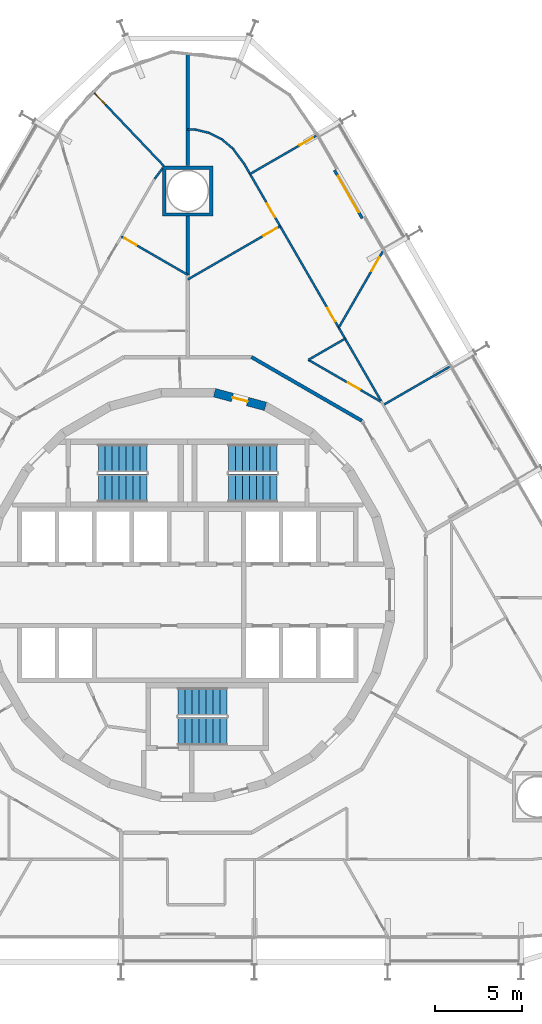
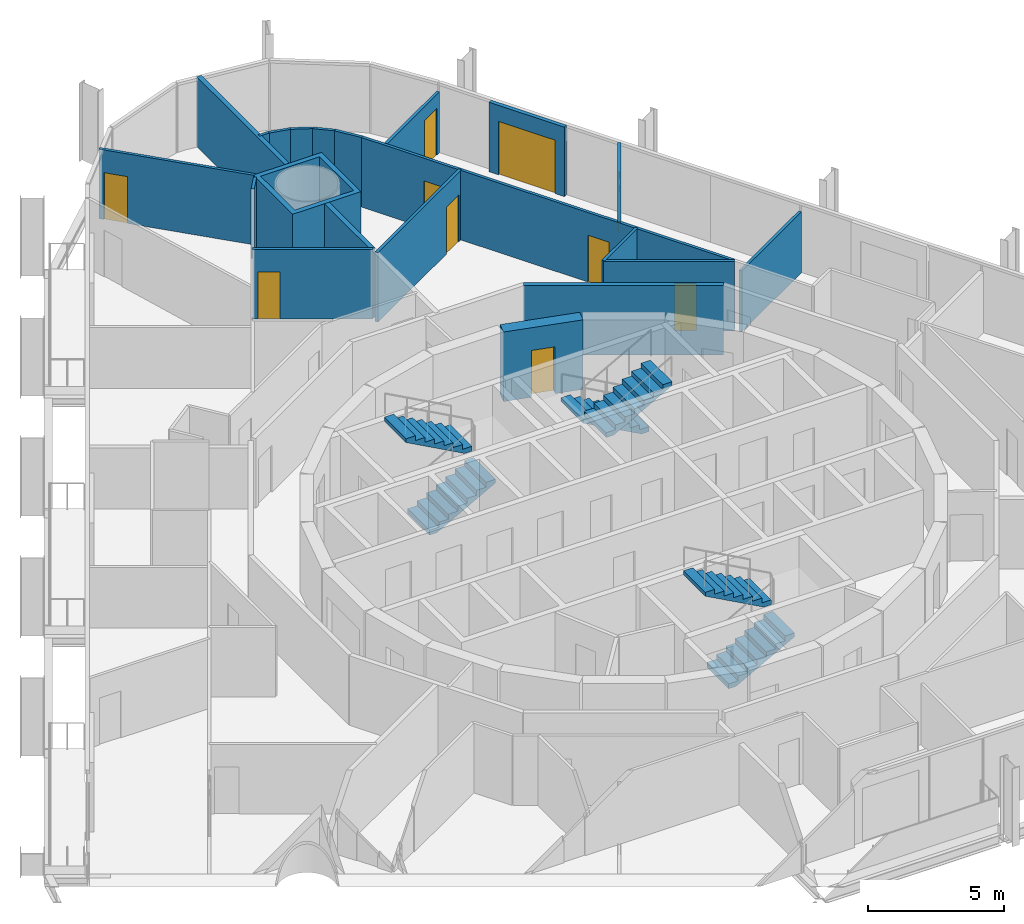
# One storey, part 18 of 20: 21 walls, 10 doors, 6 stair flights, 10 openings, 3 elements without a shape of their own.
"""IFC4 building model written with IfcOpenShell, lengths in metres."""

from ifc_helpers import new_model, si_unit, direction, frame, frame_2d, origin, place, context, subcontext, project, spatial, polyline, rectangle, outline, extrude, material, layer, layer_set, type_object, element, fill, aggregate, save


model = new_model("IFC4")

# Units and contexts
model_context = context("Model", 3, precision=1e-05, world=origin(), true_north=direction((0.0, 1.0)))
body_context = subcontext(model_context, "Body", "Model", "MODEL_VIEW")
ifc_project = project(units=[si_unit("LENGTHUNIT", "METRE"), si_unit("AREAUNIT", "SQUARE_METRE"), si_unit("VOLUMEUNIT", "CUBIC_METRE"), si_unit("PLANEANGLEUNIT", "RADIAN"), si_unit("MASSUNIT", "GRAM", prefix="KILO")], contexts=[model_context])

# Site, building, storey
site_placement = place(None, origin())
site = spatial("IfcSite", under=ifc_project, at=site_placement, CompositionType="ELEMENT")
building_placement = place(site_placement, origin())
building = spatial("IfcBuilding", under=site, at=building_placement, Name="Spindle Arch Residences", CompositionType="ELEMENT")
storey_placement = place(building_placement, frame((0.0, 0.0, 41.89990234375)))
storey = spatial("IfcBuildingStorey", under=building, at=storey_placement, Name="L08", CompositionType="ELEMENT", Elevation=41.89990234375)

# Wall, opening, door
ifc_material_1 = material(Name="Concrete C50/60", Category="concrete")
ifc_layer_1 = layer(ifc_material_1, 0.5)
ifc_layer_set_1 = layer_set([ifc_layer_1], Name="Core outline wall 500")
wall_type_1 = type_object("IfcWallType", Name="Core outline wall 500", PredefinedType="SHEAR", material=ifc_layer_set_1)
wall_1_placement = place(storey_placement, frame((4.479248046875, 10.858154296875, 0.0), z_axis=(0.0, 0.0, 1.0), x_axis=(-0.965948410781, 0.258734743916, 0.0)))
wall_1 = element("IfcWall", 1, at=wall_1_placement, inside=storey, type_object=wall_type_1, Name="Core outline wall 11", PredefinedType="SHEAR", context=body_context, shape_type="SweptSolid", body=[
    extrude(rectangle(XDim=3.03271484375, YDim=0.5, at=frame_2d((1.516357421875, 0.0))), origin(), (0.0, 0.0, 1.0), 3.1201171875),
])
opening_1_placement = place(wall_1_placement, frame((1.066162109375, 0.0, 0.0)))
opening_1 = element("IfcOpeningElement", 2, at=opening_1_placement, cuts=wall_1, Name="Opening R1A1-WD10", PredefinedType="OPENING", context=body_context, shape_type="SweptSolid", body=[
    extrude(rectangle(XDim=0.89990234375, YDim=2.10009765625, at=frame_2d((0.449951171875, 1.050048828125))), frame((0.0, 0.260009765625, 0.0), z_axis=(0.0, -1.0, 0.0), x_axis=(1.0, 0.0, 0.0)), (0.0, 0.0, 1.0), 0.52001953125),
])
ifc_material_2 = material(Name="Steel, fire-resisting door", Category="steel")
door_type_1 = type_object("IfcDoorType", Name="Service room door 900x2100", OperationType="SINGLE_SWING_LEFT", PredefinedType="DOOR", material=ifc_material_2)
door_1_placement = place(opening_1_placement, origin())
door_1 = element("IfcDoor", 3, at=door_1_placement, inside=storey, type_object=door_type_1, Name="Service room door R1A1-WD10", OperationType="SINGLE_SWING_LEFT", OverallHeight=2.10009765625, OverallWidth=0.89990234375, PredefinedType="DOOR", context=body_context, shape_type="SweptSolid", body=[
    extrude(rectangle(XDim=0.89990234375, YDim=2.10009765625, at=frame_2d((0.449951171875, 1.050048828125))), frame((0.0, 0.02490234375, 0.0), z_axis=(0.0, -1.0, 0.0), x_axis=(1.0, 0.0, 0.0)), (0.0, 0.0, 1.0), 0.050048828125),
])
fill(opening_1, door_1)

# Wall
ifc_material_3 = material(Name="Calcium silicate block, plastered")
ifc_layer_2 = layer(ifc_material_3, 0.199951171875)
ifc_layer_set_2 = layer_set([ifc_layer_2], Name="Corridor wall 200")
wall_type_2 = type_object("IfcWallType", Name="Corridor wall 200", PredefinedType="STANDARD", material=ifc_layer_set_2)
wall_2_placement = place(storey_placement, frame((10.029052734375, 10.029052734375, 0.0), z_axis=(0.0, 0.0, 1.0), x_axis=(-0.866024439905, 0.500001669485, 0.0)))
element("IfcWall", 4, at=wall_2_placement, inside=storey, type_object=wall_type_2, Name="Corridor wall R1A1-W005", PredefinedType="STANDARD", context=body_context, shape_type="SweptSolid", body=[
    extrude(rectangle(XDim=7.341796875, YDim=0.199951171875, at=frame_2d((3.6708984375, 0.0))), origin(), (0.0, 0.0, 1.0), 3.1201171875),
])

# Wall, openings, doors
ifc_material_4 = material(Name="Plasterboard on steel studs", Category="steel")
ifc_layer_3 = layer(ifc_material_4, 0.1201171875)
ifc_layer_set_3 = layer_set([ifc_layer_3], Name="Flat partition 120")
wall_type_3 = type_object("IfcWallType", Name="Flat partition 120", PredefinedType="PARTITIONING", material=ifc_layer_set_3)
wall_3_placement = place(storey_placement, frame((11.138916015625, 11.16650390625, 0.0), z_axis=(0.0, 0.0, 1.0), x_axis=(-0.499994660107, 0.866028486751, 0.0)))
wall_3 = element("IfcWall", 5, at=wall_3_placement, inside=storey, type_object=wall_type_3, Name="Flat partition R1A1-W031", PredefinedType="PARTITIONING", context=body_context, shape_type="SweptSolid", body=[
    extrude(rectangle(XDim=15.786376953125, YDim=0.1201171875, at=frame_2d((7.89306640625, 0.0))), origin(), (0.0, 0.0, 1.0), 3.1201171875),
])
opening_2_placement = place(wall_3_placement, frame((5.27880859375, 0.0, 0.0)))
opening_2 = element("IfcOpeningElement", 6, at=opening_2_placement, cuts=wall_3, Name="Opening R1A1-ID02", PredefinedType="OPENING", context=body_context, shape_type="SweptSolid", body=[
    extrude(rectangle(XDim=0.89990234375, YDim=2.10009765625, at=frame_2d((0.449951171875, 1.050048828125))), frame((0.0, 0.070068359375, 0.0), z_axis=(0.0, -1.0, 0.0), x_axis=(1.0, 0.0, 0.0)), (0.0, 0.0, 1.0), 0.14013671875),
])
opening_3_placement = place(wall_3_placement, frame((12.230224609375, 0.0, 0.0)))
opening_3 = element("IfcOpeningElement", 7, at=opening_3_placement, cuts=wall_3, Name="Opening R1A1-ID06", PredefinedType="OPENING", context=body_context, shape_type="SweptSolid", body=[
    extrude(rectangle(XDim=0.89990234375, YDim=2.10009765625, at=frame_2d((0.449951171875, 1.050048828125))), frame((0.0, 0.070068359375, 0.0), z_axis=(0.0, -1.0, 0.0), x_axis=(1.0, 0.0, 0.0)), (0.0, 0.0, 1.0), 0.14013671875),
])
ifc_material_5 = material(Name="Timber door set", Category="wood")
door_type_2 = type_object("IfcDoorType", Name="Room door 900x2100", OperationType="NOTDEFINED", PredefinedType="DOOR", material=ifc_material_5)
door_2_placement = place(opening_2_placement, origin())
door_2 = element("IfcDoor", 8, at=door_2_placement, inside=storey, type_object=door_type_2, Name="Room door R1A1-ID02", OperationType="SINGLE_SWING_RIGHT", OverallHeight=2.10009765625, OverallWidth=0.89990234375, PredefinedType="DOOR", context=body_context, shape_type="SweptSolid", body=[
    extrude(rectangle(XDim=0.89990234375, YDim=2.10009765625, at=frame_2d((0.449951171875, 1.050048828125))), frame((0.0, 0.02490234375, 0.0), z_axis=(0.0, -1.0, 0.0), x_axis=(1.0, 0.0, 0.0)), (0.0, 0.0, 1.0), 0.050048828125),
])
fill(opening_2, door_2)
door_3_placement = place(opening_3_placement, origin())
door_3 = element("IfcDoor", 9, at=door_3_placement, inside=storey, type_object=door_type_2, Name="Room door R1A1-ID06", OperationType="SINGLE_SWING_LEFT", OverallHeight=2.10009765625, OverallWidth=0.89990234375, PredefinedType="DOOR", context=body_context, shape_type="SweptSolid", body=[
    extrude(rectangle(XDim=0.89990234375, YDim=2.10009765625, at=frame_2d((0.449951171875, 1.050048828125))), frame((0.0, 0.02490234375, 0.0), z_axis=(0.0, -1.0, 0.0), x_axis=(1.0, 0.0, 0.0)), (0.0, 0.0, 1.0), 0.050048828125),
])
fill(opening_3, door_3)

# Wall, opening, door
wall_4_placement = place(storey_placement, frame((11.127197265625, 11.127197265625, 0.0), z_axis=(0.0, 0.0, 1.0), x_axis=(-0.866043916853, 0.499967933054, 0.0)))
wall_4 = element("IfcWall", 10, at=wall_4_placement, inside=storey, type_object=wall_type_3, Name="Flat partition R1A1-W032", PredefinedType="PARTITIONING", context=body_context, shape_type="SweptSolid", body=[
    extrude(rectangle(XDim=4.821044921875, YDim=0.1201171875, at=frame_2d((2.41064453125, 0.0))), origin(), (0.0, 0.0, 1.0), 3.1201171875),
])
opening_4_placement = place(wall_4_placement, frame((1.39990234375, 0.0, 0.0)))
opening_4 = element("IfcOpeningElement", 11, at=opening_4_placement, cuts=wall_4, Name="Opening R1A1-BD01", PredefinedType="OPENING", context=body_context, shape_type="SweptSolid", body=[
    extrude(rectangle(XDim=0.800048828125, YDim=2.10009765625, at=frame_2d((0.39990234375, 1.050048828125))), frame((0.0, 0.070068359375, 0.0), z_axis=(0.0, -1.0, 0.0), x_axis=(1.0, 0.0, 0.0)), (0.0, 0.0, 1.0), 0.14013671875),
])
ifc_material_6 = material(Name="Timber door set", Category="wood")
door_type_3 = type_object("IfcDoorType", Name="Bathroom door 800x2100", OperationType="NOTDEFINED", PredefinedType="DOOR", material=ifc_material_6)
door_4_placement = place(opening_4_placement, origin())
door_4 = element("IfcDoor", 12, at=door_4_placement, inside=storey, type_object=door_type_3, Name="Bathroom door R1A1-BD01", OperationType="SINGLE_SWING_RIGHT", OverallHeight=2.10009765625, OverallWidth=0.800048828125, PredefinedType="DOOR", context=body_context, shape_type="SweptSolid", body=[
    extrude(rectangle(XDim=0.800048828125, YDim=2.10009765625, at=frame_2d((0.39990234375, 1.050048828125))), frame((0.0, 0.02490234375, 0.0), z_axis=(0.0, -1.0, 0.0), x_axis=(1.0, 0.0, 0.0)), (0.0, 0.0, 1.0), 0.050048828125),
])
fill(opening_4, door_4)

# Wall
wall_5_placement = place(storey_placement, frame((6.951904296875, 13.53759765625, 0.0), z_axis=(0.0, 0.0, 1.0), x_axis=(0.866030657337, 0.49999090047, 0.0)))
element("IfcWall", 13, at=wall_5_placement, inside=storey, type_object=wall_type_3, Name="Flat partition R1A1-W033", PredefinedType="PARTITIONING", context=body_context, shape_type="SweptSolid", body=[
    extrude(rectangle(XDim=2.4404296875, YDim=0.1201171875, at=frame_2d((1.22021484375, 0.0))), origin(), (0.0, 0.0, 1.0), 3.1201171875),
])

# Wall, opening, door
wall_6_placement = place(storey_placement, frame((5.323974609375, 21.238525390625, 0.0), z_axis=(0.0, 0.0, 1.0), x_axis=(-0.866030172657, -0.49999173998, 0.0)))
wall_6 = element("IfcWall", 14, at=wall_6_placement, inside=storey, type_object=wall_type_3, Name="Flat partition R1A1-W034", PredefinedType="PARTITIONING", context=body_context, shape_type="SweptSolid", body=[
    extrude(rectangle(XDim=6.1474609375, YDim=0.1201171875, at=frame_2d((3.07373046875, 0.0))), origin(), (0.0, 0.0, 1.0), 3.1201171875),
])
opening_5_placement = place(wall_6_placement, frame((0.199951171875, 0.0, 0.0)))
opening_5 = element("IfcOpeningElement", 15, at=opening_5_placement, cuts=wall_6, Name="Opening R1A1-ID03", PredefinedType="OPENING", context=body_context, shape_type="SweptSolid", body=[
    extrude(rectangle(XDim=0.89990234375, YDim=2.10009765625, at=frame_2d((0.449951171875, 1.050048828125))), frame((0.0, 0.070068359375, 0.0), z_axis=(0.0, -1.0, 0.0), x_axis=(1.0, 0.0, 0.0)), (0.0, 0.0, 1.0), 0.14013671875),
])
door_5_placement = place(opening_5_placement, origin())
door_5 = element("IfcDoor", 16, at=door_5_placement, inside=storey, type_object=door_type_2, Name="Room door R1A1-ID03", OperationType="SINGLE_SWING_RIGHT", OverallHeight=2.10009765625, OverallWidth=0.89990234375, PredefinedType="DOOR", context=body_context, shape_type="SweptSolid", body=[
    extrude(rectangle(XDim=0.89990234375, YDim=2.10009765625, at=frame_2d((0.449951171875, 1.050048828125))), frame((0.0, 0.02490234375, 0.0), z_axis=(0.0, -1.0, 0.0), x_axis=(1.0, 0.0, 0.0)), (0.0, 0.0, 1.0), 0.050048828125),
])
fill(opening_5, door_5)

wall_7_placement = place(storey_placement, frame((11.239990234375, 19.791748046875, 0.0), z_axis=(0.0, 0.0, 1.0), x_axis=(-0.499978956711, -0.866037552792, 0.0)))
wall_7 = element("IfcWall", 17, at=wall_7_placement, inside=storey, type_object=wall_type_3, Name="Flat partition R1A1-W036", PredefinedType="PARTITIONING", context=body_context, shape_type="SweptSolid", body=[
    extrude(rectangle(XDim=5.080810546875, YDim=0.1201171875, at=frame_2d((2.54052734375, 0.0))), origin(), (0.0, 0.0, 1.0), 3.1201171875),
])
opening_6_placement = place(wall_7_placement, frame((0.39990234375, 0.0, 0.0)))
opening_6 = element("IfcOpeningElement", 18, at=opening_6_placement, cuts=wall_7, Name="Opening R1A1-ID04", PredefinedType="OPENING", context=body_context, shape_type="SweptSolid", body=[
    extrude(rectangle(XDim=0.89990234375, YDim=2.10009765625, at=frame_2d((0.449951171875, 1.050048828125))), frame((0.0, 0.070068359375, 0.0), z_axis=(0.0, -1.0, 0.0), x_axis=(1.0, 0.0, 0.0)), (0.0, 0.0, 1.0), 0.14013671875),
])
door_6_placement = place(opening_6_placement, origin())
door_6 = element("IfcDoor", 19, at=door_6_placement, inside=storey, type_object=door_type_2, Name="Room door R1A1-ID04", OperationType="SINGLE_SWING_LEFT", OverallHeight=2.10009765625, OverallWidth=0.89990234375, PredefinedType="DOOR", context=body_context, shape_type="SweptSolid", body=[
    extrude(rectangle(XDim=0.89990234375, YDim=2.10009765625, at=frame_2d((0.449951171875, 1.050048828125))), frame((0.0, 0.02490234375, 0.0), z_axis=(0.0, -1.0, 0.0), x_axis=(1.0, 0.0, 0.0)), (0.0, 0.0, 1.0), 0.050048828125),
])
fill(opening_6, door_6)

# Walls
wall_8_placement = place(storey_placement, frame((0.0, 26.8056640625, 0.0), z_axis=(0.0, 0.0, 1.0), x_axis=(1.0, 0.0, 0.0)))
element("IfcWall", 20, at=wall_8_placement, inside=storey, type_object=wall_type_3, Name="Flat partition R1A1-W038", PredefinedType="PARTITIONING", context=body_context, shape_type="SweptSolid", body=[
    extrude(rectangle(XDim=0.41455078125, YDim=0.1201171875, at=frame_2d((0.207275390625, 0.0))), origin(), (0.0, 0.0, 1.0), 3.1201171875),
])
wall_9_placement = place(storey_placement, frame((0.41455078125, 26.8056640625, 0.0), z_axis=(0.0, 0.0, 1.0), x_axis=(0.973048993259, -0.230598475097, 0.0)))
element("IfcWall", 21, at=wall_9_placement, inside=storey, type_object=wall_type_3, Name="Flat partition R1A1-W039", PredefinedType="PARTITIONING", context=body_context, shape_type="SweptSolid", body=[
    extrude(rectangle(XDim=0.8291015625, YDim=0.1201171875, at=frame_2d((0.41455078125, 0.0))), origin(), (0.0, 0.0, 1.0), 3.1201171875),
])
for number, where, z_axis, x_axis, name in (
    (22, (1.22119140625, 26.614501953125, 0.0), (0.0, 0.0, 1.0), (0.893719110379, -0.448626962791, 0.0), "Flat partition R1A1-W040"),
    (23, (1.9619140625, 26.24267578125, 0.0), (0.0, 0.0, 1.0), (0.765849913579, -0.643019369748, 0.0), "Flat partition R1A1-W041"),
):
    element("IfcWall", number, at=place(storey_placement, frame(where, z_axis=z_axis, x_axis=x_axis)), inside=storey, type_object=wall_type_3, Name=name, PredefinedType="PARTITIONING", context=body_context, shape_type="SweptSolid", body=[
        extrude(rectangle(XDim=0.828857421875, YDim=0.1201171875, at=frame_2d((0.41455078125, 0.0))), origin(), (0.0, 0.0, 1.0), 3.1201171875),
    ])
wall_10_placement = place(storey_placement, frame((2.5966796875, 25.709716796875, 0.0), z_axis=(0.0, 0.0, 1.0), x_axis=(0.59722925597, -0.802070580319, 0.0)))
element("IfcWall", 24, at=wall_10_placement, inside=storey, type_object=wall_type_3, Name="Flat partition R1A1-W042", PredefinedType="PARTITIONING", context=body_context, shape_type="SweptSolid", body=[
    extrude(rectangle(XDim=1.0869140625, YDim=0.1201171875, at=frame_2d((0.54345703125, 0.0))), origin(), (0.0, 0.0, 1.0), 3.1201171875),
])

# Wall, opening, door
wall_11_placement = place(storey_placement, frame((-5.487060546875, 29.0283203125, 0.0), z_axis=(0.0, 0.0, 1.0), x_axis=(0.689189638576, -0.724581011398, 0.0)))
wall_11 = element("IfcWall", 25, at=wall_11_placement, inside=storey, type_object=wall_type_3, Name="Flat partition R1A1-W048", PredefinedType="PARTITIONING", context=body_context, shape_type="SweptSolid", body=[
    extrude(rectangle(XDim=5.960205078125, YDim=0.1201171875, at=frame_2d((2.97998046875, 0.0))), origin(), (0.0, 0.0, 1.0), 3.1201171875),
])
opening_7_placement = place(wall_11_placement, frame((0.199951171875, 0.0, 0.0)))
opening_7 = element("IfcOpeningElement", 26, at=opening_7_placement, cuts=wall_11, Name="Opening R1A1-ID10", PredefinedType="OPENING", context=body_context, shape_type="SweptSolid", body=[
    extrude(rectangle(XDim=0.89990234375, YDim=2.10009765625, at=frame_2d((0.449951171875, 1.050048828125))), frame((0.0, 0.070068359375, 0.0), z_axis=(0.0, -1.0, 0.0), x_axis=(1.0, 0.0, 0.0)), (0.0, 0.0, 1.0), 0.14013671875),
])
door_7_placement = place(opening_7_placement, origin())
door_7 = element("IfcDoor", 27, at=door_7_placement, inside=storey, type_object=door_type_2, Name="Room door R1A1-ID10", OperationType="SINGLE_SWING_LEFT", OverallHeight=2.10009765625, OverallWidth=0.89990234375, PredefinedType="DOOR", context=body_context, shape_type="SweptSolid", body=[
    extrude(rectangle(XDim=0.89990234375, YDim=2.10009765625, at=frame_2d((0.449951171875, 1.050048828125))), frame((0.0, 0.02490234375, 0.0), z_axis=(0.0, -1.0, 0.0), x_axis=(1.0, 0.0, 0.0)), (0.0, 0.0, 1.0), 0.050048828125),
])
fill(opening_7, door_7)

wall_12_placement = place(storey_placement, frame((-3.820556640625, 20.642578125, 0.0), z_axis=(0.0, 0.0, 1.0), x_axis=(0.866024310165, -0.5000018942, 0.0)))
wall_12 = element("IfcWall", 28, at=wall_12_placement, inside=storey, type_object=wall_type_3, Name="Flat partition R1A1-W049", PredefinedType="PARTITIONING", context=body_context, shape_type="SweptSolid", body=[
    extrude(rectangle(XDim=4.41162109375, YDim=0.1201171875, at=frame_2d((2.205810546875, 0.0))), origin(), (0.0, 0.0, 1.0), 3.1201171875),
])
opening_8_placement = place(wall_12_placement, frame((0.199951171875, 0.0, 0.0)))
opening_8 = element("IfcOpeningElement", 29, at=opening_8_placement, cuts=wall_12, Name="Opening R1A1-BD03", PredefinedType="OPENING", context=body_context, shape_type="SweptSolid", body=[
    extrude(rectangle(XDim=0.800048828125, YDim=2.10009765625, at=frame_2d((0.39990234375, 1.050048828125))), frame((0.0, 0.070068359375, 0.0), z_axis=(0.0, -1.0, 0.0), x_axis=(1.0, 0.0, 0.0)), (0.0, 0.0, 1.0), 0.14013671875),
])
door_8_placement = place(opening_8_placement, origin())
door_8 = element("IfcDoor", 30, at=door_8_placement, inside=storey, type_object=door_type_3, Name="Bathroom door R1A1-BD03", OperationType="SINGLE_SWING_LEFT", OverallHeight=2.10009765625, OverallWidth=0.800048828125, PredefinedType="DOOR", context=body_context, shape_type="SweptSolid", body=[
    extrude(rectangle(XDim=0.800048828125, YDim=2.10009765625, at=frame_2d((0.39990234375, 1.050048828125))), frame((0.0, 0.02490234375, 0.0), z_axis=(0.0, -1.0, 0.0), x_axis=(1.0, 0.0, 0.0)), (0.0, 0.0, 1.0), 0.050048828125),
])
fill(opening_8, door_8)

# Walls
wall_13_placement = place(storey_placement, frame((-1.449951171875, 24.57080078125, 0.0), z_axis=(0.0, 0.0, 1.0), x_axis=(-0.597187509737, -0.802101663266, 0.0)))
element("IfcWall", 31, at=wall_13_placement, inside=storey, type_object=wall_type_3, Name="Flat partition R1A1-W050", PredefinedType="PARTITIONING", context=body_context, shape_type="SweptSolid", body=[
    extrude(rectangle(XDim=0.764892578125, YDim=0.1201171875, at=frame_2d((0.38232421875, 0.0))), origin(), (0.0, 0.0, 1.0), 3.1201171875),
])
ifc_material_7 = material(Name="Plasterboard on steel studs", Category="steel")
ifc_layer_4 = layer(ifc_material_7, 0.1201171875)
ifc_layer_set_4 = layer_set([ifc_layer_4], Name="Flat partition 120 under beam 2730")
wall_type_4 = type_object("IfcWallType", Name="Flat partition 120 under beam 2730", PredefinedType="PARTITIONING", material=ifc_layer_set_4)
wall_14_placement = place(storey_placement, frame((15.080078125, 13.140380859375, 0.0), z_axis=(0.0, 0.0, 1.0), x_axis=(-0.866032203192, -0.499988222896, 0.0)))
element("IfcWall", 32, at=wall_14_placement, inside=storey, type_object=wall_type_4, Name="Flat partition R1A1-W035", PredefinedType="PARTITIONING", context=body_context, shape_type="SweptSolid", body=[
    extrude(rectangle(XDim=4.39990234375, YDim=0.1201171875, at=frame_2d((2.199951171875, 0.0))), origin(), (0.0, 0.0, 1.0), 2.72998046875),
])

# Wall, opening, door
wall_15_placement = place(storey_placement, frame((7.39990234375, 26.44287109375, 0.0), z_axis=(0.0, 0.0, 1.0), x_axis=(-0.866032203192, -0.499988222896, 0.0)))
wall_15 = element("IfcWall", 33, at=wall_15_placement, inside=storey, type_object=wall_type_4, Name="Flat partition R1A1-W037", PredefinedType="PARTITIONING", context=body_context, shape_type="SweptSolid", body=[
    extrude(rectangle(XDim=4.39990234375, YDim=0.1201171875, at=frame_2d((2.199951171875, 0.0))), origin(), (0.0, 0.0, 1.0), 2.72998046875),
])
opening_9_placement = place(wall_15_placement, frame((0.199951171875, 0.0, 0.0)))
opening_9 = element("IfcOpeningElement", 34, at=opening_9_placement, cuts=wall_15, Name="Opening R1A1-ID05", PredefinedType="OPENING", context=body_context, shape_type="SweptSolid", body=[
    extrude(rectangle(XDim=0.89990234375, YDim=2.10009765625, at=frame_2d((0.449951171875, 1.050048828125))), frame((0.0, 0.070068359375, 0.0), z_axis=(0.0, -1.0, 0.0), x_axis=(1.0, 0.0, 0.0)), (0.0, 0.0, 1.0), 0.14013671875),
])
door_9_placement = place(opening_9_placement, origin())
door_9 = element("IfcDoor", 35, at=door_9_placement, inside=storey, type_object=door_type_2, Name="Room door R1A1-ID05", OperationType="SINGLE_SWING_RIGHT", OverallHeight=2.10009765625, OverallWidth=0.89990234375, PredefinedType="DOOR", context=body_context, shape_type="SweptSolid", body=[
    extrude(rectangle(XDim=0.89990234375, YDim=2.10009765625, at=frame_2d((0.449951171875, 1.050048828125))), frame((0.0, 0.02490234375, 0.0), z_axis=(0.0, -1.0, 0.0), x_axis=(1.0, 0.0, 0.0)), (0.0, 0.0, 1.0), 0.050048828125),
])
fill(opening_9, door_9)

# Walls
ifc_material_8 = material(Name="Calcium silicate block, plastered")
ifc_layer_5 = layer(ifc_material_8, 0.199951171875)
ifc_layer_set_5 = layer_set([ifc_layer_5], Name="Flat party wall 200")
wall_type_5 = type_object("IfcWallType", Name="Flat party wall 200", PredefinedType="STANDARD", material=ifc_layer_set_5)
wall_16_placement = place(storey_placement, frame((0.0, 31.205810546875, 0.0), z_axis=(0.0, 0.0, 1.0), x_axis=(-0.001543266126, -0.999998809164, 0.0)))
element("IfcWall", 36, at=wall_16_placement, inside=storey, type_object=wall_type_5, Name="Flat party wall R1A1-W019", PredefinedType="STANDARD", context=body_context, shape_type="SweptSolid", body=[
    extrude(rectangle(XDim=6.486083984375, YDim=0.199951171875, at=frame_2d((3.2431640625, 0.0))), origin(), (0.0, 0.0, 1.0), 3.1201171875),
])
wall_17_placement = place(storey_placement, frame((0.0, 21.809814453125, 0.0), z_axis=(0.0, 0.0, 1.0), x_axis=(0.0, -1.0, 0.0)))
element("IfcWall", 37, at=wall_17_placement, inside=storey, type_object=wall_type_5, Name="Flat party wall R1A1-W020", PredefinedType="STANDARD", context=body_context, shape_type="SweptSolid", body=[
    extrude(rectangle(XDim=3.373046875, YDim=0.199951171875, at=frame_2d((1.6865234375, 0.0))), origin(), (0.0, 0.0, 1.0), 3.1201171875),
])

# Wall, opening, door
ifc_material_9 = material(Name="Non-combustible mineral wool insulated aluminium faced external wall (K0)", Category="aluminium")
ifc_layer_6 = layer(ifc_material_9, 0.159912109375)
ifc_layer_set_6 = layer_set([ifc_layer_6], Name="Insulated external wall panel 160")
wall_type_6 = type_object("IfcWallType", Name="Insulated external wall panel 160", PredefinedType="STANDARD", material=ifc_layer_set_6)
wall_18_placement = place(storey_placement, frame((10.050537109375, 21.691650390625, 0.0), z_axis=(0.0, 0.0, 1.0), x_axis=(-0.499971222258, 0.866042017984, 0.0)))
wall_18 = element("IfcWall", 38, at=wall_18_placement, inside=storey, type_object=wall_type_6, Name="External wall L08 bay 10", PredefinedType="STANDARD", context=body_context, shape_type="SweptSolid", body=[
    extrude(rectangle(XDim=3.199951171875, YDim=0.159912109375, at=frame_2d((1.60009765625, 0.0))), origin(), (0.0, 0.0, 1.0), 3.1201171875),
])
opening_10_placement = place(wall_18_placement, frame((0.39990234375, 0.0, 0.0)))
opening_10 = element("IfcOpeningElement", 39, at=opening_10_placement, cuts=wall_18, Name="Opening BD10", PredefinedType="OPENING", context=body_context, shape_type="SweptSolid", body=[
    extrude(rectangle(XDim=2.39990234375, YDim=2.39990234375, at=frame_2d((1.199951171875, 1.199951171875))), frame((0.0, 0.08984375, 0.0), z_axis=(0.0, -1.0, 0.0), x_axis=(1.0, 0.0, 0.0)), (0.0, 0.0, 1.0), 0.179931640625),
])
ifc_material_10 = material(Name="Bronze aluminium frame, tinted double glazing", Category="aluminium")
door_type_4 = type_object("IfcDoorType", Name="Sliding glazed balcony door 2400x2400", OperationType="DOUBLE_DOOR_SLIDING", PredefinedType="DOOR", material=ifc_material_10)
door_10_placement = place(opening_10_placement, origin())
door_10 = element("IfcDoor", 40, at=door_10_placement, inside=storey, type_object=door_type_4, Name="Balcony door BD10", OperationType="DOUBLE_DOOR_SLIDING", OverallHeight=2.39990234375, OverallWidth=2.39990234375, PredefinedType="DOOR", context=body_context, shape_type="SweptSolid", body=[
    extrude(rectangle(XDim=2.39990234375, YDim=2.39990234375, at=frame_2d((1.199951171875, 1.199951171875))), frame((0.0, 0.02490234375, 0.0), z_axis=(0.0, -1.0, 0.0), x_axis=(1.0, 0.0, 0.0)), (0.0, 0.0, 1.0), 0.050048828125),
])
fill(opening_10, door_10)

# Wall
ifc_material_11 = material(Name="Calcium silicate block, plastered")
ifc_layer_7 = layer(ifc_material_11, 0.199951171875)
ifc_layer_set_7 = layer_set([ifc_layer_7], Name="Mega-column casing wall 200")
wall_type_7 = type_object("IfcWallType", Name="Mega-column casing wall 200", PredefinedType="STANDARD", material=ifc_layer_set_7)
wall_19_placement = place(storey_placement, origin())
element("IfcWall", 41, at=wall_19_placement, inside=storey, type_object=wall_type_7, Name="Mega-column casing wall R1A1-WC01", PredefinedType="STANDARD", context=body_context, shape_type="SweptSolid", body=[
    extrude(outline(polyline([(1.449951171875, 24.709716796875), (1.449951171875, 21.809814453125), (-1.449951171875, 21.809814453125), (-1.449951171875, 24.709716796875), (1.449951171875, 24.709716796875)]), holes=[polyline([(-1.25, 22.009765625), (1.25, 22.009765625), (1.25, 24.509765625), (-1.25, 24.509765625), (-1.25, 22.009765625)])]), origin(), (0.0, 0.0, 1.0), 3.1201171875),
])

# Stair, stair flights
ifc_material_12 = material(Name="Concrete C50/60", Category="concrete")
stair_type = type_object("IfcStairType", Name="Exit stair 16 risers", PredefinedType="HALF_TURN_STAIR", material=ifc_material_12)
stair_1_placement = place(storey_placement, origin())
stair_1 = element("IfcStair", 42, at=stair_1_placement, inside=storey, type_object=stair_type, Name="L08 Exit stair ST1", PredefinedType="HALF_TURN_STAIR")
ifc_material_13 = material(Name="Concrete C50/60", Category="concrete")
stair_flight_type = type_object("IfcStairFlightType", Name="Exit stair flight", PredefinedType="STRAIGHT", material=ifc_material_13)
stair_flight_1_placement = place(storey_placement, frame((5.14990234375, 7.8701171875, 0.0), z_axis=(0.0, 0.0, 1.0), x_axis=(-1.0, 0.0, 0.0)))
stair_flight_1 = element("IfcStairFlight", 43, at=stair_flight_1_placement, type_object=stair_flight_type, Name="ST1 flight 1", NumberOfRisers=8, NumberOfTreads=7, PredefinedType="STRAIGHT", RiserHeight=0.21875, TreadLength=0.4, context=body_context, shape_type="SweptSolid", body=[
    extrude(outline(polyline([(0.0, 0.0), (0.0, 0.21875), (0.39990234375, 0.21875), (0.39990234375, 0.4375), (0.800048828125, 0.4375), (0.800048828125, 0.65625), (1.199951171875, 0.65625), (1.199951171875, 0.875), (1.60009765625, 0.875), (1.60009765625, 1.09375), (2.0, 1.09375), (2.0, 1.3125), (2.39990234375, 1.3125), (2.39990234375, 1.53125), (2.800048828125, 1.53125), (2.800048828125, 1.75), (2.800048828125, 1.3603515625), (0.3125, 0.0), (0.0, 0.0)])), frame((0.0, 0.800048828125, 0.0), z_axis=(0.0, -1.0, 0.0), x_axis=(1.0, 0.0, 0.0)), (0.0, 0.0, 1.0), 1.60009765625),
])
stair_flight_2_placement = place(storey_placement, frame((2.35009765625, 6.14990234375, 1.75), z_axis=(0.0, 0.0, 1.0), x_axis=(1.0, 0.0, 0.0)))
stair_flight_2 = element("IfcStairFlight", 44, at=stair_flight_2_placement, type_object=stair_flight_type, Name="ST1 flight 2", NumberOfRisers=8, NumberOfTreads=7, PredefinedType="STRAIGHT", RiserHeight=0.21875, TreadLength=0.4, context=body_context, shape_type="SweptSolid", body=[
    extrude(outline(polyline([(0.0, 0.0), (0.0, 0.21875), (0.39990234375, 0.21875), (0.39990234375, 0.4375), (0.800048828125, 0.4375), (0.800048828125, 0.65625), (1.199951171875, 0.65625), (1.199951171875, 0.875), (1.60009765625, 0.875), (1.60009765625, 1.09375), (2.0, 1.09375), (2.0, 1.3125), (2.39990234375, 1.3125), (2.39990234375, 1.53125), (2.800048828125, 1.53125), (2.800048828125, 1.75), (2.800048828125, 1.3603515625), (0.3125, 0.0), (0.0, 0.0)])), frame((0.0, 0.800048828125, 0.0), z_axis=(0.0, -1.0, 0.0), x_axis=(1.0, 0.0, 0.0)), (0.0, 0.0, 1.0), 1.60009765625),
])
aggregate(stair_1, [stair_flight_1, stair_flight_2])

stair_2_placement = place(storey_placement, origin())
stair_2 = element("IfcStair", 45, at=stair_2_placement, inside=storey, type_object=stair_type, Name="L08 Exit stair ST2", PredefinedType="HALF_TURN_STAIR")
stair_flight_3_placement = place(storey_placement, frame((-5.14990234375, 6.14990234375, 0.0), z_axis=(0.0, 0.0, 1.0), x_axis=(1.0, 0.0, 0.0)))
stair_flight_3 = element("IfcStairFlight", 46, at=stair_flight_3_placement, type_object=stair_flight_type, Name="ST2 flight 1", NumberOfRisers=8, NumberOfTreads=7, PredefinedType="STRAIGHT", RiserHeight=0.21875, TreadLength=0.4, context=body_context, shape_type="SweptSolid", body=[
    extrude(outline(polyline([(0.0, 0.0), (0.0, 0.21875), (0.39990234375, 0.21875), (0.39990234375, 0.4375), (0.800048828125, 0.4375), (0.800048828125, 0.65625), (1.199951171875, 0.65625), (1.199951171875, 0.875), (1.60009765625, 0.875), (1.60009765625, 1.09375), (2.0, 1.09375), (2.0, 1.3125), (2.39990234375, 1.3125), (2.39990234375, 1.53125), (2.800048828125, 1.53125), (2.800048828125, 1.75), (2.800048828125, 1.3603515625), (0.3125, 0.0), (0.0, 0.0)])), frame((0.0, 0.800048828125, 0.0), z_axis=(0.0, -1.0, 0.0), x_axis=(1.0, 0.0, 0.0)), (0.0, 0.0, 1.0), 1.60009765625),
])
stair_flight_4_placement = place(storey_placement, frame((-2.35009765625, 7.8701171875, 1.75), z_axis=(0.0, 0.0, 1.0), x_axis=(-1.0, 0.0, 0.0)))
stair_flight_4 = element("IfcStairFlight", 47, at=stair_flight_4_placement, type_object=stair_flight_type, Name="ST2 flight 2", NumberOfRisers=8, NumberOfTreads=7, PredefinedType="STRAIGHT", RiserHeight=0.21875, TreadLength=0.4, context=body_context, shape_type="SweptSolid", body=[
    extrude(outline(polyline([(0.0, 0.0), (0.0, 0.21875), (0.39990234375, 0.21875), (0.39990234375, 0.4375), (0.800048828125, 0.4375), (0.800048828125, 0.65625), (1.199951171875, 0.65625), (1.199951171875, 0.875), (1.60009765625, 0.875), (1.60009765625, 1.09375), (2.0, 1.09375), (2.0, 1.3125), (2.39990234375, 1.3125), (2.39990234375, 1.53125), (2.800048828125, 1.53125), (2.800048828125, 1.75), (2.800048828125, 1.3603515625), (0.3125, 0.0), (0.0, 0.0)])), frame((0.0, 0.800048828125, 0.0), z_axis=(0.0, -1.0, 0.0), x_axis=(1.0, 0.0, 0.0)), (0.0, 0.0, 1.0), 1.60009765625),
])
aggregate(stair_2, [stair_flight_3, stair_flight_4])

stair_3_placement = place(storey_placement, origin())
stair_3 = element("IfcStair", 48, at=stair_3_placement, inside=storey, type_object=stair_type, Name="L08 Exit stair ST3", PredefinedType="HALF_TURN_STAIR")
stair_flight_5_placement = place(storey_placement, frame((-0.550048828125, -7.8701171875, 0.0), z_axis=(0.0, 0.0, 1.0), x_axis=(1.0, 0.0, 0.0)))
stair_flight_5 = element("IfcStairFlight", 49, at=stair_flight_5_placement, type_object=stair_flight_type, Name="ST3 flight 1", NumberOfRisers=8, NumberOfTreads=7, PredefinedType="STRAIGHT", RiserHeight=0.21875, TreadLength=0.4, context=body_context, shape_type="SweptSolid", body=[
    extrude(outline(polyline([(0.0, 0.0), (0.0, 0.21875), (0.39990234375, 0.21875), (0.39990234375, 0.4375), (0.800048828125, 0.4375), (0.800048828125, 0.65625), (1.199951171875, 0.65625), (1.199951171875, 0.875), (1.60009765625, 0.875), (1.60009765625, 1.09375), (2.0, 1.09375), (2.0, 1.3125), (2.39990234375, 1.3125), (2.39990234375, 1.53125), (2.800048828125, 1.53125), (2.800048828125, 1.75), (2.800048828125, 1.3603515625), (0.3125, 0.0), (0.0, 0.0)])), frame((0.0, 0.800048828125, 0.0), z_axis=(0.0, -1.0, 0.0), x_axis=(1.0, 0.0, 0.0)), (0.0, 0.0, 1.0), 1.60009765625),
])
stair_flight_6_placement = place(storey_placement, frame((2.25, -6.14990234375, 1.75), z_axis=(0.0, 0.0, 1.0), x_axis=(-1.0, 0.0, 0.0)))
stair_flight_6 = element("IfcStairFlight", 50, at=stair_flight_6_placement, type_object=stair_flight_type, Name="ST3 flight 2", NumberOfRisers=8, NumberOfTreads=7, PredefinedType="STRAIGHT", RiserHeight=0.21875, TreadLength=0.4, context=body_context, shape_type="SweptSolid", body=[
    extrude(outline(polyline([(0.0, 0.0), (0.0, 0.21875), (0.39990234375, 0.21875), (0.39990234375, 0.4375), (0.800048828125, 0.4375), (0.800048828125, 0.65625), (1.199951171875, 0.65625), (1.199951171875, 0.875), (1.60009765625, 0.875), (1.60009765625, 1.09375), (2.0, 1.09375), (2.0, 1.3125), (2.39990234375, 1.3125), (2.39990234375, 1.53125), (2.800048828125, 1.53125), (2.800048828125, 1.75), (2.800048828125, 1.3603515625), (0.3125, 0.0), (0.0, 0.0)])), frame((0.0, 0.800048828125, 0.0), z_axis=(0.0, -1.0, 0.0), x_axis=(1.0, 0.0, 0.0)), (0.0, 0.0, 1.0), 1.60009765625),
])
aggregate(stair_3, [stair_flight_5, stair_flight_6])

save(model, "model.ifc")
